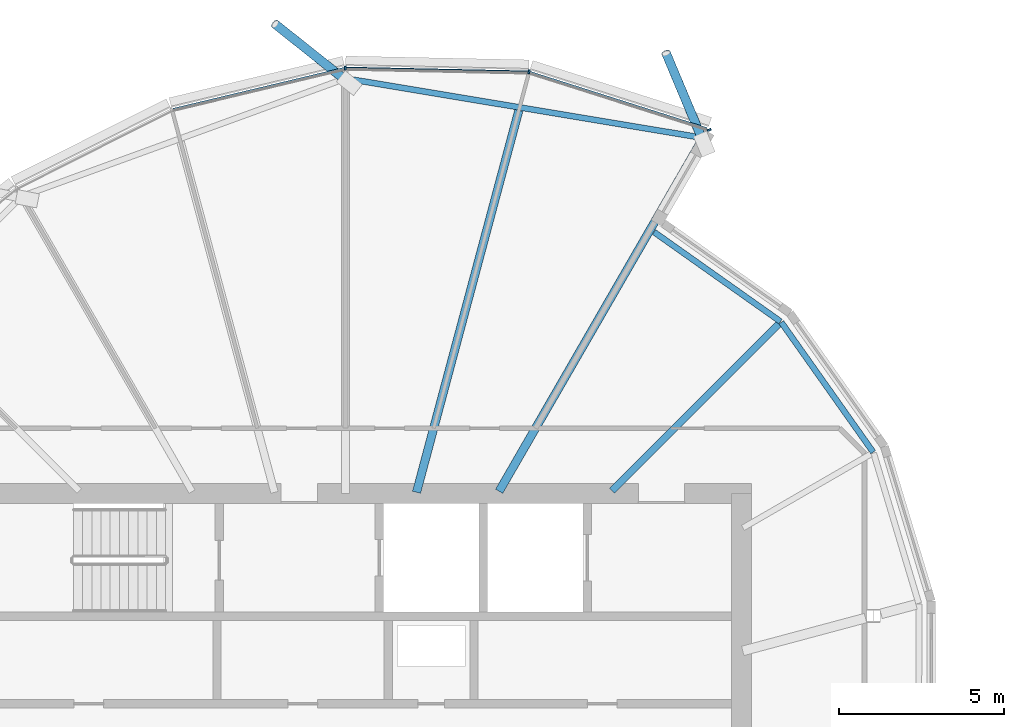
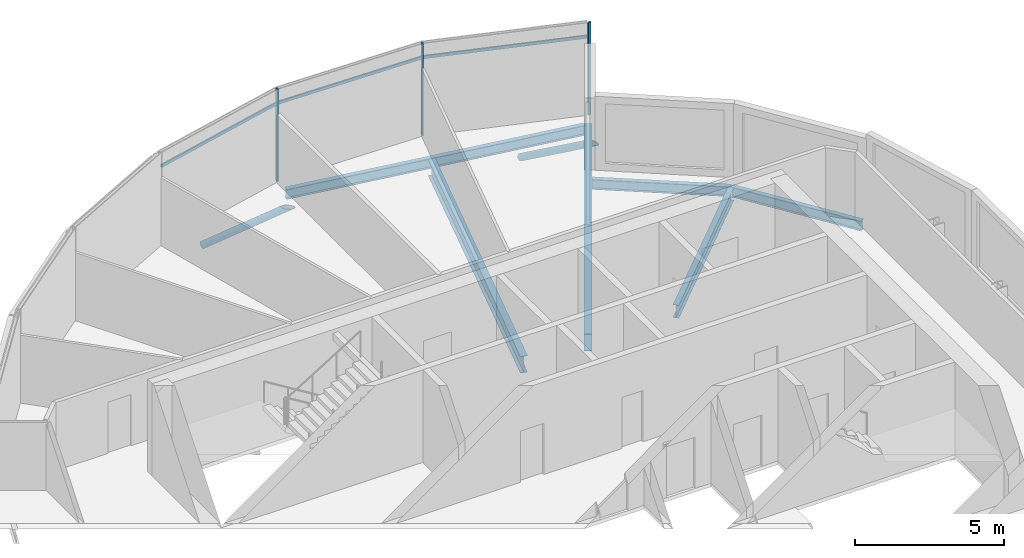
# One storey, part 16 of 37: 8 members, 6 beams, 1 element without a shape of its own.
"""IFC4 building model written with IfcOpenShell, lengths in metres."""

from ifc_helpers import new_model, si_unit, direction, frame, origin, origin_2d, place, context, subcontext, project, spatial, rectangle, hollow_circle, i_section, extrude, clip, halfspace, material, material_profile, profile_set, type_object, element, aggregate, save


model = new_model("IFC4")

# Units and contexts
model_context = context("Model", 3, precision=1e-05, world=origin(), true_north=direction((0.0, 1.0)))
body_context = subcontext(model_context, "Body", "Model", "MODEL_VIEW")
ifc_project = project(units=[si_unit("LENGTHUNIT", "METRE"), si_unit("AREAUNIT", "SQUARE_METRE"), si_unit("VOLUMEUNIT", "CUBIC_METRE"), si_unit("PLANEANGLEUNIT", "RADIAN"), si_unit("MASSUNIT", "GRAM", prefix="KILO")], contexts=[model_context])

# Site, building, storey
site_placement = place(None, origin())
site = spatial("IfcSite", under=ifc_project, at=site_placement, CompositionType="ELEMENT")
building_placement = place(site_placement, origin())
building = spatial("IfcBuilding", under=site, at=building_placement, Name="Rimbun Link Towers", CompositionType="ELEMENT")
storey_placement = place(building_placement, frame((0.0, 0.0, 177.89990234375)))
storey = spatial("IfcBuildingStorey", under=building, at=storey_placement, Name="L43", CompositionType="ELEMENT", Elevation=177.89990234375)

# Curtain wall, members
ifc_material_1 = material(Name="Aluminium 6063-T6 and low-iron glass", Category="aluminium")
curtain_wall_type = type_object("IfcCurtainWallType", Name="CW1-Z3 unitised vision wall (zone 3)", PredefinedType="NOTDEFINED", material=ifc_material_1)
curtain_wall_placement = place(storey_placement, origin())
curtain_wall = element("IfcCurtainWall", 1, at=curtain_wall_placement, inside=storey, type_object=curtain_wall_type, Name="CW1 L43 T2", PredefinedType="NOTDEFINED")
ifc_material_2 = material(Name="Aluminium 6063-T6", Category="aluminium")
ifc_material_profile_1 = material_profile(ifc_material_2, rectangle(XDim=0.1201171875, YDim=0.06005859375, at=origin_2d()), Name="MULLION 60X120")
ifc_profile_set_1 = profile_set([ifc_material_profile_1], Name="Aluminium 6063-T6")
member_type_1 = type_object("IfcMemberType", Name="CW1 mullion 60X120", PredefinedType="MULLION", material=ifc_profile_set_1)
member_1_placement = place(storey_placement, frame((37.310791015625, 20.775390625, 0.0), z_axis=(0.0, 0.0, 1.0), x_axis=(0.163742714165, 0.986503078332, 0.0)))
member_1 = element("IfcMember", 2, at=member_1_placement, type_object=member_type_1, Name="CW1 mullion", PredefinedType="MULLION", context=body_context, shape_type="SweptSolid", body=[
    extrude(rectangle(XDim=0.1201171875, YDim=0.06005859375, at=origin_2d()), origin(), (0.0, 0.0, 1.0), 3.800048828125),
])
member_2_placement = place(storey_placement, frame((42.772216796875, 19.015625, 0.0), z_axis=(0.0, 0.0, 1.0), x_axis=(0.932455618345, 0.361284541347, 0.0)))
member_2 = element("IfcMember", 3, at=member_2_placement, type_object=member_type_1, Name="CW1 mullion", PredefinedType="MULLION", context=body_context, shape_type="SweptSolid", body=[
    extrude(rectangle(XDim=0.1201171875, YDim=0.06005859375, at=origin_2d()), origin(), (0.0, 0.0, 1.0), 3.800048828125),
])
member_3_placement = place(storey_placement, frame((31.74365234375, 20.892822265625, 0.0), z_axis=(0.0, 0.0, 1.0), x_axis=(-0.106640847711, 0.994297606152, 0.0)))
member_3 = element("IfcMember", 4, at=member_3_placement, type_object=member_type_1, Name="CW1 mullion", PredefinedType="MULLION", context=body_context, shape_type="SweptSolid", body=[
    extrude(rectangle(XDim=0.1201171875, YDim=0.06005859375, at=origin_2d()), origin(), (0.0, 0.0, 1.0), 3.800048828125),
])
ifc_material_3 = material(Name="Aluminium 6063-T6", Category="aluminium")
ifc_material_profile_2 = material_profile(ifc_material_3, rectangle(XDim=0.06005859375, YDim=0.1201171875, at=origin_2d()), Name="TRANSOM 60X120")
ifc_profile_set_2 = profile_set([ifc_material_profile_2], Name="Aluminium 6063-T6")
member_type_2 = type_object("IfcMemberType", Name="CW1 transom 60X120", PredefinedType="USERDEFINED", material=ifc_profile_set_2)
member_4_placement = place(storey_placement, frame((37.34716796875, 20.762451171875, 3.2001953125), z_axis=(0.952961131098, -0.303092531444, 0.0), x_axis=(0.303092531444, 0.952961131098, 0.0)))
member_4 = element("IfcMember", 5, at=member_4_placement, type_object=member_type_2, Name="CW1 transom", ObjectType="TRANSOM", PredefinedType="USERDEFINED", context=body_context, shape_type="SweptSolid", body=[
    extrude(rectangle(XDim=0.06005859375, YDim=0.1201171875, at=origin_2d()), origin(), (0.0, 0.0, 1.0), 5.622314453125),
])
member_5_placement = place(storey_placement, frame((31.78125, 20.890380859375, 3.2001953125), z_axis=(0.999778929537, -0.021025985224, 0.0), x_axis=(0.021025985224, 0.999778929537, 0.0)))
member_5 = element("IfcMember", 6, at=member_5_placement, type_object=member_type_2, Name="CW1 transom", ObjectType="TRANSOM", PredefinedType="USERDEFINED", context=body_context, shape_type="SweptSolid", body=[
    extrude(rectangle(XDim=0.06005859375, YDim=0.1201171875, at=origin_2d()), origin(), (0.0, 0.0, 1.0), 5.4921875),
])
member_6_placement = place(storey_placement, frame((26.519775390625, 19.641845703125, 3.2001953125), z_axis=(0.972568987432, 0.232614626983, 0.0), x_axis=(-0.232614626983, 0.972568987432, 0.0)))
member_6 = element("IfcMember", 7, at=member_6_placement, type_object=member_type_2, Name="CW1 transom", ObjectType="TRANSOM", PredefinedType="USERDEFINED", context=body_context, shape_type="SweptSolid", body=[
    extrude(rectangle(XDim=0.06005859375, YDim=0.1201171875, at=origin_2d()), origin(), (0.0, 0.0, 1.0), 5.333740234375),
])
aggregate(curtain_wall, [member_1, member_2, member_3, member_4, member_5, member_6])

# Members
ifc_material_4 = material(Name="Steel S355J2H", Category="steel")
ifc_material_profile_3 = material_profile(ifc_material_4, hollow_circle(Radius=0.136474609375, WallThickness=0.012451171875, at=origin_2d()), Name="CHS 273x12.5")
ifc_profile_set_3 = profile_set([ifc_material_profile_3], Name="Steel S355J2H")
member_type_3 = type_object("IfcMemberType", Name="Floor edge link CHS 273x12.5", PredefinedType="BRACE", material=ifc_profile_set_3)
member_7_placement = place(storey_placement, frame((42.563232421875, 18.72900390625, -0.94970703125), z_axis=(-0.329272270989, 0.784155275396, -0.526004064268), x_axis=(-0.922012723961, -0.387159575438, 0.0)))
element("IfcMember", 8, at=member_7_placement, inside=storey, type_object=member_type_3, Name="Floor edge link T2 L43 01", PredefinedType="BRACE", context=body_context, shape_type="Clipping", body=[
    clip(extrude(hollow_circle(Radius=0.136474609375, WallThickness=0.012451171875, at=origin_2d()), frame((0.0, 0.0, -0.46044921875)), (0.0, 0.0, 1.0), 3.807373046875), halfspace(frame((0.0, 0.0, -0.21728515625), z_axis=(0.0, 0.850482054116, -0.526004064268)), False)),
])
member_8_placement = place(storey_placement, frame((31.75, 20.526123046875, -0.948486328125), z_axis=(-0.659073613292, 0.524539667383, -0.538962066944), x_axis=(-0.622724638386, -0.782441067907, 0.0)))
element("IfcMember", 9, at=member_8_placement, inside=storey, type_object=member_type_3, Name="Floor edge link T2 L43 03", PredefinedType="BRACE", context=body_context, shape_type="Clipping", body=[
    clip(extrude(hollow_circle(Radius=0.136474609375, WallThickness=0.012451171875, at=origin_2d()), frame((0.0, 0.0, -0.4453125)), (0.0, 0.0, 1.0), 3.6953125), halfspace(frame((0.0, 0.0, -0.209716796875), z_axis=(0.0, 0.842330036503, -0.538962066944)), False)),
])

# Beams
ifc_material_5 = material(Name="Steel S355J2", Category="steel")
ifc_material_profile_4 = material_profile(ifc_material_5, i_section(OverallWidth=0.177978515625, OverallDepth=0.406494140625, WebThickness=0.0078125, FlangeThickness=0.0126953125, at=origin_2d()), Name="UB 406x178x60")
ifc_profile_set_4 = profile_set([ifc_material_profile_4], Name="Steel S355J2")
beam_type_1 = type_object("IfcBeamType", Name="UB 406x178x60", PredefinedType="BEAM", material=ifc_profile_set_4)
beam_1_placement = place(storey_placement, frame((44.934814453125, 13.20751953125, -0.35302734375), z_axis=(-0.816316443066, 0.577604938327, 0.0), x_axis=(-0.577604938327, -0.816316443066, 0.0)))
element("IfcBeam", 10, at=beam_1_placement, inside=storey, type_object=beam_type_1, Name="Edge beam T2 L43 00 recess", PredefinedType="BEAM", context=body_context, shape_type="SweptSolid", body=[
    extrude(i_section(OverallWidth=0.177978515625, OverallDepth=0.406494140625, WebThickness=0.0078125, FlangeThickness=0.0126953125, at=origin_2d()), origin(), (0.0, 0.0, 1.0), 4.698486328125),
])
beam_2_placement = place(storey_placement, frame((42.45361328125, 18.794921875, -0.35302734375), z_axis=(-0.986437585606, 0.164136801797, 0.0), x_axis=(-0.164136801797, -0.986437585606, 0.0)))
element("IfcBeam", 11, at=beam_2_placement, inside=storey, type_object=beam_type_1, Name="Edge beam T2 L43 01-03", PredefinedType="BEAM", context=body_context, shape_type="SweptSolid", body=[
    extrude(i_section(OverallWidth=0.177978515625, OverallDepth=0.406494140625, WebThickness=0.0078125, FlangeThickness=0.0126953125, at=origin_2d()), origin(), (0.0, 0.0, 1.0), 10.721435546875),
])
beam_3_placement = place(storey_placement, frame((47.7412109375, 9.25048828125, -0.35302734375), z_axis=(-0.577585771739, 0.816330004523, 0.0), x_axis=(-0.816330004523, -0.577585771739, 0.0)))
element("IfcBeam", 12, at=beam_3_placement, inside=storey, type_object=beam_type_1, Name="Edge beam T2 L43 23 recess", PredefinedType="BEAM", context=body_context, shape_type="SweptSolid", body=[
    extrude(i_section(OverallWidth=0.177978515625, OverallDepth=0.406494140625, WebThickness=0.0078125, FlangeThickness=0.0126953125, at=origin_2d()), origin(), (0.0, 0.0, 1.0), 4.819580078125),
])
ifc_material_6 = material(Name="Steel S355J2", Category="steel")
ifc_material_profile_5 = material_profile(ifc_material_6, i_section(OverallWidth=0.209228515625, OverallDepth=0.533203125, WebThickness=0.010009765625, FlangeThickness=0.015625, at=origin_2d()), Name="UB 533x210x92")
ifc_profile_set_5 = profile_set([ifc_material_profile_5], Name="Steel S355J2")
beam_type_2 = type_object("IfcBeamType", Name="UB 533x210x92", PredefinedType="BEAM", material=ifc_profile_set_5)
beam_4_placement = place(storey_placement, frame((39.82470703125, 8.07470703125, -0.41650390625), z_axis=(0.707106781187, 0.707106781187, 0.0), x_axis=(-0.707106781187, 0.707106781187, 0.0)))
element("IfcBeam", 13, at=beam_4_placement, inside=storey, type_object=beam_type_2, Name="Radial beam T2 L43 00", PredefinedType="BEAM", context=body_context, shape_type="SweptSolid", body=[
    extrude(i_section(OverallWidth=0.209228515625, OverallDepth=0.533203125, WebThickness=0.010009765625, FlangeThickness=0.015625, at=origin_2d()), origin(), (0.0, 0.0, 1.0), 7.15576171875),
])
ifc_material_7 = material(Name="Steel S355J2", Category="steel")
ifc_material_profile_6 = material_profile(ifc_material_7, i_section(OverallWidth=0.253662109375, OverallDepth=0.68359375, WebThickness=0.012451171875, FlangeThickness=0.01904296875, at=origin_2d()), Name="UB 686x254x140")
ifc_profile_set_6 = profile_set([ifc_material_profile_6], Name="Steel S355J2")
beam_type_3 = type_object("IfcBeamType", Name="UB 686x254x140", PredefinedType="BEAM", material=ifc_profile_set_6)
beam_5_placement = place(storey_placement, frame((36.406005859375, 8.064208984375, -0.49169921875), z_axis=(0.49998281943, 0.866035322764, 0.0), x_axis=(-0.866035322764, 0.49998281943, 0.0)))
element("IfcBeam", 14, at=beam_5_placement, inside=storey, type_object=beam_type_3, Name="Radial beam T2 L43 01", PredefinedType="BEAM", context=body_context, shape_type="SweptSolid", body=[
    extrude(i_section(OverallWidth=0.253662109375, OverallDepth=0.68359375, WebThickness=0.012451171875, FlangeThickness=0.01904296875, at=origin_2d()), origin(), (0.0, 0.0, 1.0), 12.36474609375),
])
beam_6_placement = place(storey_placement, frame((33.902587890625, 8.03369140625, -0.49169921875), z_axis=(0.25882636602, 0.965923864625, 0.0), x_axis=(-0.965923864625, 0.25882636602, 0.0)))
element("IfcBeam", 15, at=beam_6_placement, inside=storey, type_object=beam_type_3, Name="Radial beam T2 L43 02", PredefinedType="BEAM", context=body_context, shape_type="SweptSolid", body=[
    extrude(i_section(OverallWidth=0.253662109375, OverallDepth=0.68359375, WebThickness=0.012451171875, FlangeThickness=0.01904296875, at=origin_2d()), origin(), (0.0, 0.0, 1.0), 11.985107421875),
])

save(model, "model.ifc")
